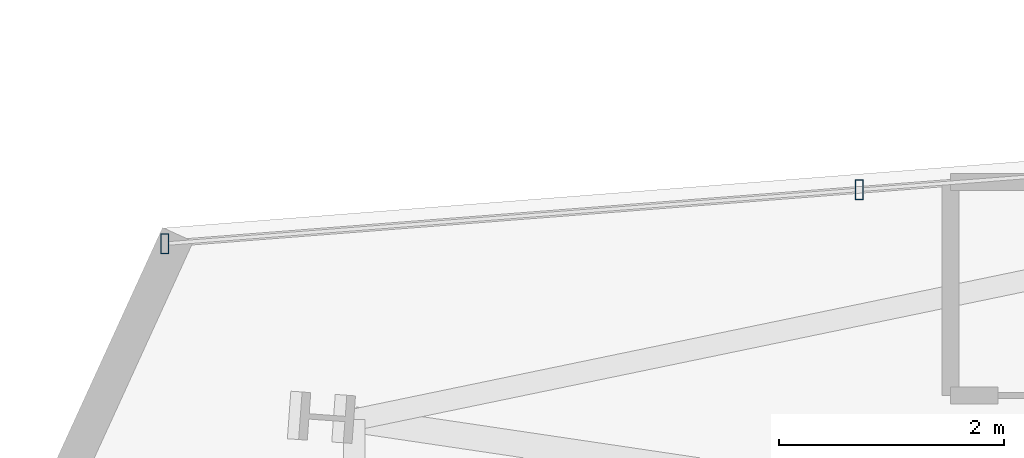
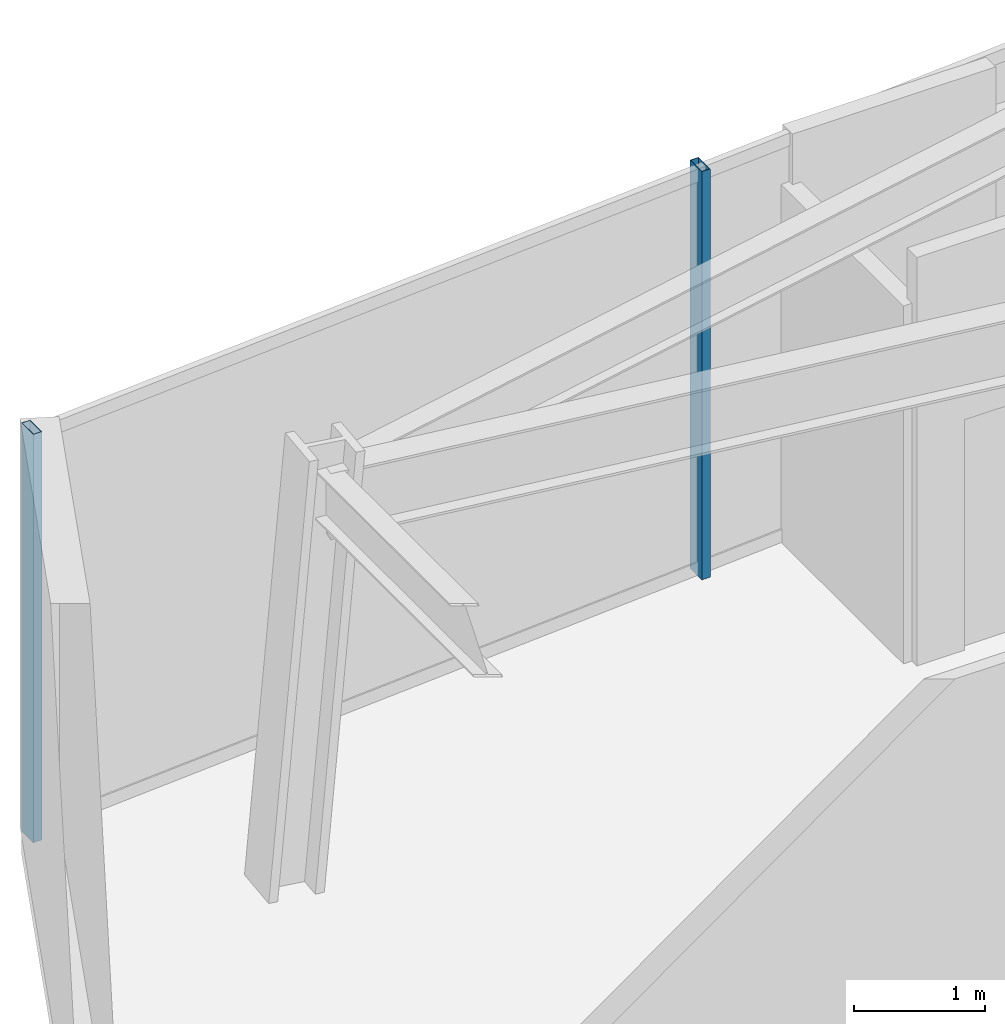
# One storey, part 8 of 29: 2 members, 1 element without a shape of its own.
"""IFC4 building model written with IfcOpenShell, lengths in metres."""

import ifcopenshell
import ifcopenshell.guid

model = None  # the IFC model being written
_history = None  # IfcOwnerHistory: only IFC2X3 demands one
_inside = {}  # id of a spatial element -> (the spatial element, [elements in it])
_under = {}  # id of a project, library or spatial element -> (it, [spatial elements below it])
_declared = {}  # id of a project -> (the project, [libraries it declares])
_typed = {}  # id of a type object -> (the type object, [elements of that type])
_made_of = {}  # id of a material, layer set ... -> (it, [elements and type objects made of it])


def new_model(schema):
    """Start an empty IFC model of exactly this schema.

    Asked for "IFC4X3", IfcOpenShell would pick the latest addendum, in which some entities
    have other attributes; the version numbers below select the first issue.
    IFC2X3 requires an IfcOwnerHistory on every rooted entity: one is made here for all.
    """
    global model, _history
    if schema == "IFC4X3":
        model = ifcopenshell.file(schema_version=(4, 3, 0, 0))
    else:
        model = ifcopenshell.file(schema=schema)
    _inside.clear()
    _under.clear()
    _declared.clear()
    _typed.clear()
    _made_of.clear()
    _history = None
    if model.schema == "IFC2X3":
        org = make("IfcOrganization", Name="unknown")
        user = make(
            "IfcPersonAndOrganization",
            ThePerson=make("IfcPerson", FamilyName="unknown"),
            TheOrganization=org,
        )
        app = make(
            "IfcApplication",
            ApplicationDeveloper=org,
            Version="unknown",
            ApplicationFullName="unknown",
            ApplicationIdentifier="unknown",
        )
        _history = make(
            "IfcOwnerHistory",
            OwningUser=user,
            OwningApplication=app,
            ChangeAction="ADDED",
            CreationDate=0,
        )
    return model


def make(cls, **values):
    """One entity of the class cls with the attributes given. An attribute that is None is left unset."""
    return model.create_entity(
        cls, **{name: value for name, value in values.items() if value is not None}
    )


def rooted(cls, **values):
    """An entity with a GlobalId (a new one), such as an element, a storey or a relation."""
    return make(cls, GlobalId=ifcopenshell.guid.new(), OwnerHistory=_history, **values)


def si_unit(unit_type, name, prefix=None):
    """IfcSIUnit, for example si_unit("LENGTHUNIT", "METRE", prefix="MILLI")."""
    return make("IfcSIUnit", UnitType=unit_type, Prefix=prefix, Name=name)


def assignment(units):
    """IfcUnitAssignment: the units of a project."""
    return None if units is None else make("IfcUnitAssignment", Units=units)


def point(xyz):
    """IfcCartesianPoint."""
    return None if xyz is None else make("IfcCartesianPoint", Coordinates=xyz)


def direction(xyz):
    """IfcDirection."""
    return None if xyz is None else make("IfcDirection", DirectionRatios=xyz)


def frame(location, z_axis=None, x_axis=None):
    """IfcAxis2Placement3D, a coordinate frame: its origin and axes. An axis left out is left unset."""
    return make(
        "IfcAxis2Placement3D",
        Location=point(location),
        Axis=direction(z_axis),
        RefDirection=direction(x_axis),
    )


def frame_2d(location, x_axis=None):
    """IfcAxis2Placement2D, a coordinate frame in the plane: its origin and x axis."""
    return make(
        "IfcAxis2Placement2D", Location=point(location), RefDirection=direction(x_axis)
    )


def origin():
    """The frame at (0, 0, 0) with its axes left unset."""
    return frame((0.0, 0.0, 0.0))


def origin_2d():
    """The frame at (0, 0) in the plane with its x axis left unset."""
    return frame_2d((0.0, 0.0))


def place(relative_to, where):
    """IfcLocalPlacement: puts the frame where relative to a parent placement (None: the world)."""
    return make(
        "IfcLocalPlacement", PlacementRelTo=relative_to, RelativePlacement=where
    )


def context(
    kind, dimensions, precision=None, world=None, true_north=None, identifier=None
):
    """IfcGeometricRepresentationContext, for example the 3D "Model" context."""
    return make(
        "IfcGeometricRepresentationContext",
        ContextIdentifier=identifier,
        ContextType=kind,
        CoordinateSpaceDimension=dimensions,
        Precision=precision,
        WorldCoordinateSystem=world,
        TrueNorth=true_north,
    )


def subcontext(parent, identifier, kind, view, scale=None):
    """IfcGeometricRepresentationSubContext, for example "Body" below "Model"."""
    return make(
        "IfcGeometricRepresentationSubContext",
        ContextIdentifier=identifier,
        ContextType=kind,
        ParentContext=parent,
        TargetScale=scale,
        TargetView=view,
    )


def project(units=None, contexts=None):
    """IfcProject with its units and contexts."""
    return rooted(
        "IfcProject",
        Name="project",
        RepresentationContexts=contexts,
        UnitsInContext=assignment(units),
    )


def spatial(cls, under=None, at=None, **own):
    """A site, building, storey or space (cls), placed at a placement, below another one or the project."""
    s = rooted(cls, ObjectPlacement=at, **own)
    if under is not None:
        _under.setdefault(under.id(), (under, []))[1].append(s)
    return s


def profile(cls, at=None, kind="AREA", **sizes):
    """A parametric profile (cls). Its sizes go by their IFC names, for example OverallWidth=200.0."""
    return make(cls, ProfileType=kind, Position=at, **sizes)


def hollow_rectangle(**sizes):
    """IfcRectangleHollowProfileDef."""
    return profile("IfcRectangleHollowProfileDef", **sizes)


def extrude(swept, where, along, depth):
    """IfcExtrudedAreaSolid: the profile swept, set in the frame where, extruded along a direction by depth."""
    return make(
        "IfcExtrudedAreaSolid",
        SweptArea=swept,
        Position=where,
        ExtrudedDirection=direction(along),
        Depth=depth,
    )


def shape(context_of_items, identifier, shape_type, items):
    """IfcShapeRepresentation: the items that make up one representation, for example the "Body"."""
    return make(
        "IfcShapeRepresentation",
        ContextOfItems=context_of_items,
        RepresentationIdentifier=identifier,
        RepresentationType=shape_type,
        Items=items,
    )


def material(Name=None, Category=None):
    """IfcMaterial."""
    return make("IfcMaterial", Name=Name, Category=Category)


def layer(
    of_material, thickness, ventilated=None, Name=None, Category=None, Priority=None
):
    """IfcMaterialLayer: one layer of a wall or slab, of a material (None: an air gap)."""
    return make(
        "IfcMaterialLayer",
        Material=of_material,
        LayerThickness=thickness,
        IsVentilated=ventilated,
        Name=Name,
        Category=Category,
        Priority=Priority,
    )


def layer_set(layers, Name=None):
    """IfcMaterialLayerSet."""
    return make("IfcMaterialLayerSet", MaterialLayers=layers, LayerSetName=Name)


def material_profile(
    of_material, cross_section, Name=None, Category=None, Priority=None
):
    """IfcMaterialProfile: a cross section and its material."""
    return make(
        "IfcMaterialProfile",
        Name=Name,
        Material=of_material,
        Profile=cross_section,
        Priority=Priority,
        Category=Category,
    )


def profile_set(profiles, Name=None, composite=None):
    """IfcMaterialProfileSet."""
    return make(
        "IfcMaterialProfileSet",
        Name=Name,
        MaterialProfiles=profiles,
        CompositeProfile=composite,
    )


def made_of(thing, what):
    """Note that an element or type object is made of a material, layer set ...; save() writes the relation."""
    if what is not None:
        _made_of.setdefault(what.id(), (what, []))[1].append(thing)
    return thing


def type_object(cls, material=None, **own):
    """A type object (cls), such as IfcWallType, which elements share."""
    return made_of(rooted(cls, **own), material)


def element(
    cls,
    number,
    at=None,
    inside=None,
    cuts=None,
    type_object=None,
    material=None,
    context=None,
    identifier="Body",
    shape_type=None,
    held_by="IfcProductDefinitionShape",
    body=None,
    shapes=None,
    **own,
):
    """One element of the class cls, such as IfcWall. Its Tag is "e" and its number.

    at: its placement. inside: the storey or other place that contains it. cuts: it is an
    opening in that element (IfcRelVoidsElement). A single representation is given by context,
    identifier, shape_type and body (its items); several are given by shapes. held_by: the class
    of the entity that holds the representations. save() writes the other relations.
    """
    e = rooted(cls, Tag="e%d" % number, ObjectPlacement=at, **own)
    if body is not None:
        shapes = [shape(context, identifier, shape_type, body)]
    if shapes is not None:
        e.Representation = make(held_by, Representations=shapes)
    if inside is not None:
        _inside.setdefault(inside.id(), (inside, []))[1].append(e)
    if cuts is not None:
        rooted(
            "IfcRelVoidsElement", RelatingBuildingElement=cuts, RelatedOpeningElement=e
        )
    if type_object is not None:
        _typed.setdefault(type_object.id(), (type_object, []))[1].append(e)
    return made_of(e, material)


def aggregate(whole, parts):
    """IfcRelAggregates: a whole, such as a stair, and the parts it consists of."""
    return rooted("IfcRelAggregates", RelatingObject=whole, RelatedObjects=parts)


def save(model, path):
    """Write the relations noted so far, then the file.

    IfcRelAggregates (storeys below a building ...), IfcRelContainedInSpatialStructure (elements
    in a storey), IfcRelDefinesByType, IfcRelAssociatesMaterial and IfcRelDeclares: one each for
    every whole, place, type object, material and project.
    """
    for whole, parts in _under.values():
        aggregate(whole, parts)
    for where, things in _inside.values():
        rooted(
            "IfcRelContainedInSpatialStructure",
            RelatedElements=things,
            RelatingStructure=where,
        )
    for kind, things in _typed.values():
        rooted("IfcRelDefinesByType", RelatedObjects=things, RelatingType=kind)
    for what, things in _made_of.values():
        rooted("IfcRelAssociatesMaterial", RelatedObjects=things, RelatingMaterial=what)
    for by, libraries in _declared.values():
        rooted("IfcRelDeclares", RelatingContext=by, RelatedDefinitions=libraries)
    model.write(path)


model = new_model("IFC4")

# Units and contexts
model_context = context("Model", 3, precision=1e-05, world=origin(), true_north=direction((0.0, 1.0)))
body_context = subcontext(model_context, "Body", "Model", "MODEL_VIEW")
ifc_project = project(units=[si_unit("LENGTHUNIT", "METRE"), si_unit("AREAUNIT", "SQUARE_METRE"), si_unit("VOLUMEUNIT", "CUBIC_METRE"), si_unit("PLANEANGLEUNIT", "RADIAN"), si_unit("MASSUNIT", "GRAM", prefix="KILO")], contexts=[model_context])

# Site, building, storey
site_placement = place(None, origin())
site = spatial("IfcSite", under=ifc_project, at=site_placement, CompositionType="ELEMENT")
building_placement = place(site_placement, origin())
building = spatial("IfcBuilding", under=site, at=building_placement, Name="Veymaron Broadcast Tower", CompositionType="ELEMENT")
storey_placement = place(building_placement, frame((0.0, 0.0, 58.050048828125)))
storey = spatial("IfcBuildingStorey", under=building, at=storey_placement, Name="L12", CompositionType="ELEMENT", Elevation=58.050048828125)

# Curtain wall, members
ifc_material_1 = material(Name="Anodised aluminium AA 6063-T6 and laminated low-E dark glass", Category="aluminium")
ifc_layer = layer(ifc_material_1, 0.179931640625)
ifc_layer_set = layer_set([ifc_layer], Name="Anodised aluminium AA 6063-T6 and laminated low-E dark glass")
curtain_wall_type = type_object("IfcCurtainWallType", Name="CW-SYS-02", PredefinedType="NOTDEFINED", material=ifc_layer_set)
curtain_wall_placement = place(storey_placement, origin())
curtain_wall = element("IfcCurtainWall", 1, at=curtain_wall_placement, inside=storey, type_object=curtain_wall_type, Name="L12 dark-glass curtain wall CW-L12-E11-1", PredefinedType="NOTDEFINED")
ifc_material_2 = material(Name="Anodised aluminium AA 6063-T6", Category="aluminium")
ifc_material_profile = material_profile(ifc_material_2, hollow_rectangle(XDim=0.074951171875, YDim=0.179931640625, WallThickness=0.0048828125, at=origin_2d()), Name="AL180X75X5")
ifc_profile_set = profile_set([ifc_material_profile], Name="Anodised aluminium AA 6063-T6")
member_type = type_object("IfcMemberType", Name="CW-MUL-02", PredefinedType="MULLION", material=ifc_profile_set)
member_1_placement = place(storey_placement, frame((13.186767578125, 29.37890625, 0.0), z_axis=(0.0, 0.0, 1.0), x_axis=(1.0, 0.0, 0.0)))
member_1 = element("IfcMember", 2, at=member_1_placement, type_object=member_type, Name="CW-L12-E11-1 mullion 2", PredefinedType="MULLION", context=body_context, shape_type="SweptSolid", body=[
    extrude(hollow_rectangle(XDim=0.074951171875, YDim=0.179931640625, WallThickness=0.0048828125, at=origin_2d()), origin(), (0.0, 0.0, 1.0), 3.81005859375),
])
member_2_placement = place(storey_placement, frame((7.0107421875, 28.900146484375, 0.0), z_axis=(0.0, 0.0, 1.0), x_axis=(1.0, 0.0, 0.0)))
member_2 = element("IfcMember", 3, at=member_2_placement, type_object=member_type, Name="CW-L12-E11-1 mullion 3", PredefinedType="MULLION", context=body_context, shape_type="SweptSolid", body=[
    extrude(hollow_rectangle(XDim=0.074951171875, YDim=0.179931640625, WallThickness=0.0048828125, at=origin_2d()), origin(), (0.0, 0.0, 1.0), 3.81005859375),
])
aggregate(curtain_wall, [member_1, member_2])

save(model, "model.ifc")
